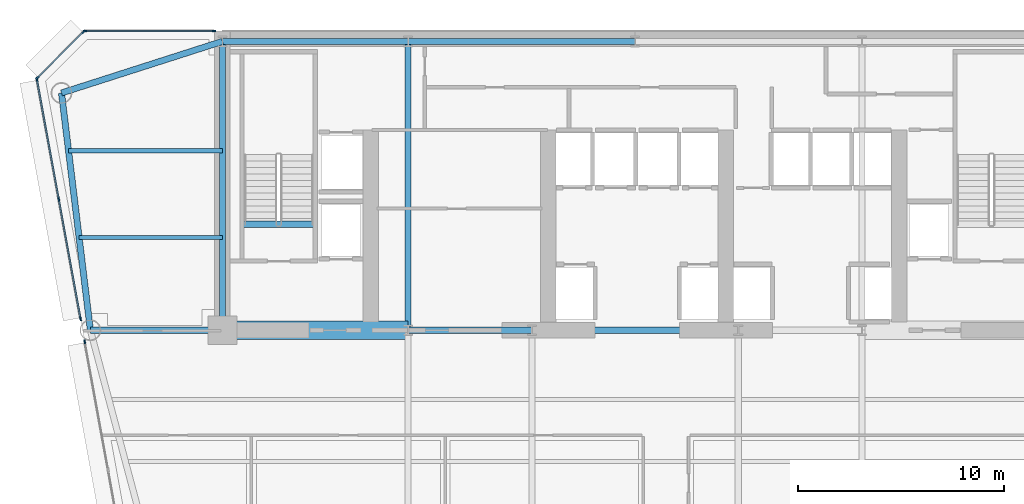
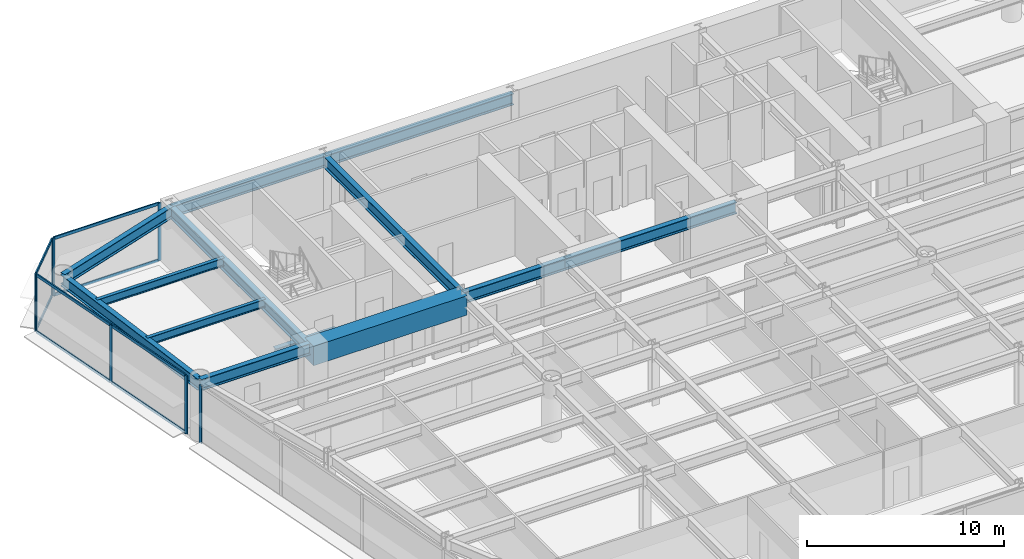
# One storey, part 5 of 14: 16 members, 13 beams, 4 elements without a shape of their own.
"""IFC4 building model written with IfcOpenShell, lengths in metres."""

import ifcopenshell
import ifcopenshell.guid

model = None  # the IFC model being written
_history = None  # IfcOwnerHistory: only IFC2X3 demands one
_inside = {}  # id of a spatial element -> (the spatial element, [elements in it])
_under = {}  # id of a project, library or spatial element -> (it, [spatial elements below it])
_declared = {}  # id of a project -> (the project, [libraries it declares])
_typed = {}  # id of a type object -> (the type object, [elements of that type])
_made_of = {}  # id of a material, layer set ... -> (it, [elements and type objects made of it])


def new_model(schema):
    """Start an empty IFC model of exactly this schema.

    Asked for "IFC4X3", IfcOpenShell would pick the latest addendum, in which some entities
    have other attributes; the version numbers below select the first issue.
    IFC2X3 requires an IfcOwnerHistory on every rooted entity: one is made here for all.
    """
    global model, _history
    if schema == "IFC4X3":
        model = ifcopenshell.file(schema_version=(4, 3, 0, 0))
    else:
        model = ifcopenshell.file(schema=schema)
    _inside.clear()
    _under.clear()
    _declared.clear()
    _typed.clear()
    _made_of.clear()
    _history = None
    if model.schema == "IFC2X3":
        org = make("IfcOrganization", Name="unknown")
        user = make(
            "IfcPersonAndOrganization",
            ThePerson=make("IfcPerson", FamilyName="unknown"),
            TheOrganization=org,
        )
        app = make(
            "IfcApplication",
            ApplicationDeveloper=org,
            Version="unknown",
            ApplicationFullName="unknown",
            ApplicationIdentifier="unknown",
        )
        _history = make(
            "IfcOwnerHistory",
            OwningUser=user,
            OwningApplication=app,
            ChangeAction="ADDED",
            CreationDate=0,
        )
    return model


def make(cls, **values):
    """One entity of the class cls with the attributes given. An attribute that is None is left unset."""
    return model.create_entity(
        cls, **{name: value for name, value in values.items() if value is not None}
    )


def rooted(cls, **values):
    """An entity with a GlobalId (a new one), such as an element, a storey or a relation."""
    return make(cls, GlobalId=ifcopenshell.guid.new(), OwnerHistory=_history, **values)


def si_unit(unit_type, name, prefix=None):
    """IfcSIUnit, for example si_unit("LENGTHUNIT", "METRE", prefix="MILLI")."""
    return make("IfcSIUnit", UnitType=unit_type, Prefix=prefix, Name=name)


def assignment(units):
    """IfcUnitAssignment: the units of a project."""
    return None if units is None else make("IfcUnitAssignment", Units=units)


def point(xyz):
    """IfcCartesianPoint."""
    return None if xyz is None else make("IfcCartesianPoint", Coordinates=xyz)


def direction(xyz):
    """IfcDirection."""
    return None if xyz is None else make("IfcDirection", DirectionRatios=xyz)


def frame(location, z_axis=None, x_axis=None):
    """IfcAxis2Placement3D, a coordinate frame: its origin and axes. An axis left out is left unset."""
    return make(
        "IfcAxis2Placement3D",
        Location=point(location),
        Axis=direction(z_axis),
        RefDirection=direction(x_axis),
    )


def frame_2d(location, x_axis=None):
    """IfcAxis2Placement2D, a coordinate frame in the plane: its origin and x axis."""
    return make(
        "IfcAxis2Placement2D", Location=point(location), RefDirection=direction(x_axis)
    )


def origin():
    """The frame at (0, 0, 0) with its axes left unset."""
    return frame((0.0, 0.0, 0.0))


def origin_2d():
    """The frame at (0, 0) in the plane with its x axis left unset."""
    return frame_2d((0.0, 0.0))


def place(relative_to, where):
    """IfcLocalPlacement: puts the frame where relative to a parent placement (None: the world)."""
    return make(
        "IfcLocalPlacement", PlacementRelTo=relative_to, RelativePlacement=where
    )


def context(
    kind, dimensions, precision=None, world=None, true_north=None, identifier=None
):
    """IfcGeometricRepresentationContext, for example the 3D "Model" context."""
    return make(
        "IfcGeometricRepresentationContext",
        ContextIdentifier=identifier,
        ContextType=kind,
        CoordinateSpaceDimension=dimensions,
        Precision=precision,
        WorldCoordinateSystem=world,
        TrueNorth=true_north,
    )


def subcontext(parent, identifier, kind, view, scale=None):
    """IfcGeometricRepresentationSubContext, for example "Body" below "Model"."""
    return make(
        "IfcGeometricRepresentationSubContext",
        ContextIdentifier=identifier,
        ContextType=kind,
        ParentContext=parent,
        TargetScale=scale,
        TargetView=view,
    )


def project(units=None, contexts=None):
    """IfcProject with its units and contexts."""
    return rooted(
        "IfcProject",
        Name="project",
        RepresentationContexts=contexts,
        UnitsInContext=assignment(units),
    )


def spatial(cls, under=None, at=None, **own):
    """A site, building, storey or space (cls), placed at a placement, below another one or the project."""
    s = rooted(cls, ObjectPlacement=at, **own)
    if under is not None:
        _under.setdefault(under.id(), (under, []))[1].append(s)
    return s


def profile(cls, at=None, kind="AREA", **sizes):
    """A parametric profile (cls). Its sizes go by their IFC names, for example OverallWidth=200.0."""
    return make(cls, ProfileType=kind, Position=at, **sizes)


def rectangle(**sizes):
    """IfcRectangleProfileDef."""
    return profile("IfcRectangleProfileDef", **sizes)


def i_section(**sizes):
    """IfcIShapeProfileDef."""
    return profile("IfcIShapeProfileDef", **sizes)


def extrude(swept, where, along, depth):
    """IfcExtrudedAreaSolid: the profile swept, set in the frame where, extruded along a direction by depth."""
    return make(
        "IfcExtrudedAreaSolid",
        SweptArea=swept,
        Position=where,
        ExtrudedDirection=direction(along),
        Depth=depth,
    )


def shape(context_of_items, identifier, shape_type, items):
    """IfcShapeRepresentation: the items that make up one representation, for example the "Body"."""
    return make(
        "IfcShapeRepresentation",
        ContextOfItems=context_of_items,
        RepresentationIdentifier=identifier,
        RepresentationType=shape_type,
        Items=items,
    )


def source(mapping_origin, context_of_items, identifier, shape_type, items):
    """IfcRepresentationMap: a shape defined once, which mapped items show again and again."""
    return make(
        "IfcRepresentationMap",
        MappingOrigin=mapping_origin,
        MappedRepresentation=shape(context_of_items, identifier, shape_type, items),
    )


def transform(
    local_origin,
    x_axis=None,
    y_axis=None,
    z_axis=None,
    scale=None,
    scale2=None,
    scale3=None,
    uniform=True,
):
    """IfcCartesianTransformationOperator3D, or its non-uniform kind. x_axis, y_axis, z_axis: its Axis1, 2, 3."""
    if uniform:
        return make(
            "IfcCartesianTransformationOperator3D",
            Axis1=direction(x_axis),
            Axis2=direction(y_axis),
            LocalOrigin=point(local_origin),
            Scale=scale,
            Axis3=direction(z_axis),
        )
    return make(
        "IfcCartesianTransformationOperator3DnonUniform",
        Axis1=direction(x_axis),
        Axis2=direction(y_axis),
        LocalOrigin=point(local_origin),
        Scale=scale,
        Axis3=direction(z_axis),
        Scale2=scale2,
        Scale3=scale3,
    )


def mapped(mapping_source, mapping_target):
    """IfcMappedItem: shows the shape of a source again, moved by a transform."""
    return make(
        "IfcMappedItem", MappingSource=mapping_source, MappingTarget=mapping_target
    )


def material(Name=None, Category=None):
    """IfcMaterial."""
    return make("IfcMaterial", Name=Name, Category=Category)


def layer(
    of_material, thickness, ventilated=None, Name=None, Category=None, Priority=None
):
    """IfcMaterialLayer: one layer of a wall or slab, of a material (None: an air gap)."""
    return make(
        "IfcMaterialLayer",
        Material=of_material,
        LayerThickness=thickness,
        IsVentilated=ventilated,
        Name=Name,
        Category=Category,
        Priority=Priority,
    )


def layer_set(layers, Name=None):
    """IfcMaterialLayerSet."""
    return make("IfcMaterialLayerSet", MaterialLayers=layers, LayerSetName=Name)


def material_profile(
    of_material, cross_section, Name=None, Category=None, Priority=None
):
    """IfcMaterialProfile: a cross section and its material."""
    return make(
        "IfcMaterialProfile",
        Name=Name,
        Material=of_material,
        Profile=cross_section,
        Priority=Priority,
        Category=Category,
    )


def profile_set(profiles, Name=None, composite=None):
    """IfcMaterialProfileSet."""
    return make(
        "IfcMaterialProfileSet",
        Name=Name,
        MaterialProfiles=profiles,
        CompositeProfile=composite,
    )


def made_of(thing, what):
    """Note that an element or type object is made of a material, layer set ...; save() writes the relation."""
    if what is not None:
        _made_of.setdefault(what.id(), (what, []))[1].append(thing)
    return thing


def type_object(cls, material=None, **own):
    """A type object (cls), such as IfcWallType, which elements share."""
    return made_of(rooted(cls, **own), material)


def element(
    cls,
    number,
    at=None,
    inside=None,
    cuts=None,
    type_object=None,
    material=None,
    context=None,
    identifier="Body",
    shape_type=None,
    held_by="IfcProductDefinitionShape",
    body=None,
    shapes=None,
    **own,
):
    """One element of the class cls, such as IfcWall. Its Tag is "e" and its number.

    at: its placement. inside: the storey or other place that contains it. cuts: it is an
    opening in that element (IfcRelVoidsElement). A single representation is given by context,
    identifier, shape_type and body (its items); several are given by shapes. held_by: the class
    of the entity that holds the representations. save() writes the other relations.
    """
    e = rooted(cls, Tag="e%d" % number, ObjectPlacement=at, **own)
    if body is not None:
        shapes = [shape(context, identifier, shape_type, body)]
    if shapes is not None:
        e.Representation = make(held_by, Representations=shapes)
    if inside is not None:
        _inside.setdefault(inside.id(), (inside, []))[1].append(e)
    if cuts is not None:
        rooted(
            "IfcRelVoidsElement", RelatingBuildingElement=cuts, RelatedOpeningElement=e
        )
    if type_object is not None:
        _typed.setdefault(type_object.id(), (type_object, []))[1].append(e)
    return made_of(e, material)


def aggregate(whole, parts):
    """IfcRelAggregates: a whole, such as a stair, and the parts it consists of."""
    return rooted("IfcRelAggregates", RelatingObject=whole, RelatedObjects=parts)


def save(model, path):
    """Write the relations noted so far, then the file.

    IfcRelAggregates (storeys below a building ...), IfcRelContainedInSpatialStructure (elements
    in a storey), IfcRelDefinesByType, IfcRelAssociatesMaterial and IfcRelDeclares: one each for
    every whole, place, type object, material and project.
    """
    for whole, parts in _under.values():
        aggregate(whole, parts)
    for where, things in _inside.values():
        rooted(
            "IfcRelContainedInSpatialStructure",
            RelatedElements=things,
            RelatingStructure=where,
        )
    for kind, things in _typed.values():
        rooted("IfcRelDefinesByType", RelatedObjects=things, RelatingType=kind)
    for what, things in _made_of.values():
        rooted("IfcRelAssociatesMaterial", RelatedObjects=things, RelatingMaterial=what)
    for by, libraries in _declared.values():
        rooted("IfcRelDeclares", RelatingContext=by, RelatedDefinitions=libraries)
    model.write(path)


model = new_model("IFC4")

# Units and contexts
model_context = context("Model", 3, precision=1e-05, world=origin(), true_north=direction((0.0, 1.0)))
body_context = subcontext(model_context, "Body", "Model", "MODEL_VIEW")
ifc_project = project(units=[si_unit("LENGTHUNIT", "METRE"), si_unit("AREAUNIT", "SQUARE_METRE"), si_unit("VOLUMEUNIT", "CUBIC_METRE"), si_unit("PLANEANGLEUNIT", "RADIAN"), si_unit("MASSUNIT", "GRAM", prefix="KILO")], contexts=[model_context])

# Site, building, storey
site_placement = place(None, origin())
site = spatial("IfcSite", under=ifc_project, at=site_placement, CompositionType="ELEMENT")
building_placement = place(site_placement, origin())
building = spatial("IfcBuilding", under=site, at=building_placement, Name="Vaeldorn Concourse Tower", CompositionType="ELEMENT")
storey_placement = place(building_placement, frame((0.0, 0.0, 107.199951171875)))
storey = spatial("IfcBuildingStorey", under=building, at=storey_placement, Name="L27", CompositionType="ELEMENT", Elevation=107.199951171875)

# Beams
ifc_material_1 = material(Name="Concrete C60/75", Category="concrete")
ifc_material_profile_1 = material_profile(ifc_material_1, rectangle(XDim=0.89990234375, YDim=1.199951171875, at=origin_2d()), Name="RC 900x1200")
ifc_profile_set_1 = profile_set([ifc_material_profile_1], Name="Concrete C60/75")
beam_type_1 = type_object("IfcBeamType", Name="BM-CB-RC900", PredefinedType="BEAM", material=ifc_profile_set_1)
shared_shape_1 = source(origin(), body_context, "Body", "SweptSolid", [
    extrude(rectangle(XDim=0.89990234375, YDim=1.199951171875, at=origin_2d()), origin(), (0.0, 0.0, 1.0), 9.0),
])
beam_1_placement = place(storey_placement, frame((14.0, 36.5, 2.97998046875), z_axis=(1.0, 0.0, 0.0), x_axis=(0.0, 1.0, 0.0)))
element("IfcBeam", 1, at=beam_1_placement, inside=storey, type_object=beam_type_1, Name="Core Coupling Beam L27-1", PredefinedType="BEAM", context=body_context, shape_type="MappedRepresentation", body=[
    mapped(shared_shape_1, transform((0.0, 0.0, 0.0), scale=1.0)),
])
ifc_material_2 = material(Name="Steel S355", Category="steel")
ifc_material_profile_2 = material_profile(ifc_material_2, i_section(OverallWidth=0.300048828125, OverallDepth=0.340087890625, WebThickness=0.011962890625, FlangeThickness=0.021484375, FilletRadius=0.027099609375, at=origin_2d()), Name="HEB 340")
ifc_profile_set_2 = profile_set([ifc_material_profile_2], Name="Steel S355")
beam_type_2 = type_object("IfcBeamType", Name="BM-ST-TRIM", PredefinedType="BEAM", material=ifc_profile_set_2)
shared_shape_2 = source(origin(), body_context, "Body", "SweptSolid", [
    extrude(i_section(OverallWidth=0.300048828125, OverallDepth=0.340087890625, WebThickness=0.011962890625, FlangeThickness=0.021484375, FilletRadius=0.027099609375, at=origin_2d()), origin(), (0.0, 0.0, 1.0), 3.590087890625),
])
beam_2_placement = place(storey_placement, frame((14.929931640625, 41.639892578125, -0.389892578125), z_axis=(1.0, 0.0, 0.0), x_axis=(0.0, 1.0, 0.0)))
element("IfcBeam", 2, at=beam_2_placement, inside=storey, type_object=beam_type_2, Name="Stair Landing Trimmer Beam ST-1 L27", PredefinedType="BEAM", context=body_context, shape_type="MappedRepresentation", body=[
    mapped(shared_shape_2, transform((0.0, 0.0, 0.0), scale=1.0)),
])
ifc_material_profile_3 = material_profile(ifc_material_2, i_section(OverallWidth=0.199951171875, OverallDepth=0.5, WebThickness=0.01025390625, FlangeThickness=0.01611328125, FilletRadius=0.02099609375, at=origin_2d()), Name="IPE 500")
ifc_profile_set_3 = profile_set([ifc_material_profile_3], Name="Steel S355")
beam_type_3 = type_object("IfcBeamType", Name="BM-JS-IPE500", PredefinedType="JOIST", material=ifc_profile_set_3)
shared_shape_3 = source(origin(), body_context, "Body", "SweptSolid", [
    extrude(i_section(OverallWidth=0.199951171875, OverallDepth=0.5, WebThickness=0.01025390625, FlangeThickness=0.01611328125, FilletRadius=0.02099609375, at=origin_2d()), origin(), (0.0, 0.0, 1.0), 6.94775390625),
])
beam_3_placement = place(storey_placement, frame((7.05224609375, 41.0, 3.330078125), z_axis=(1.0, 0.0, 0.0), x_axis=(0.0, 1.0, 0.0)))
element("IfcBeam", 3, at=beam_3_placement, inside=storey, type_object=beam_type_3, Name="Beam JS-L27-NW-410", PredefinedType="JOIST", context=body_context, shape_type="MappedRepresentation", body=[
    mapped(shared_shape_3, transform((0.0, 0.0, 0.0), scale=1.0)),
])
shared_shape_4 = source(origin(), body_context, "Body", "SweptSolid", [
    extrude(i_section(OverallWidth=0.199951171875, OverallDepth=0.5, WebThickness=0.01025390625, FlangeThickness=0.01611328125, FilletRadius=0.02099609375, at=origin_2d()), origin(), (0.0, 0.0, 1.0), 7.458984375),
])
beam_4_placement = place(storey_placement, frame((6.541015625, 45.199951171875, 3.330078125), z_axis=(1.0, 0.0, 0.0), x_axis=(0.0, 1.0, 0.0)))
element("IfcBeam", 4, at=beam_4_placement, inside=storey, type_object=beam_type_3, Name="Beam JS-L27-NW-452", PredefinedType="JOIST", context=body_context, shape_type="MappedRepresentation", body=[
    mapped(shared_shape_4, transform((0.0, 0.0, 0.0), scale=1.0)),
])
ifc_material_profile_4 = material_profile(ifc_material_2, i_section(OverallWidth=0.300048828125, OverallDepth=0.699951171875, WebThickness=0.01708984375, FlangeThickness=0.031982421875, FilletRadius=0.027099609375, at=origin_2d()), Name="HEB 700")
ifc_profile_set_4 = profile_set([ifc_material_profile_4], Name="Steel S355")
beam_type_4 = type_object("IfcBeamType", Name="BM-PG-HEB700", PredefinedType="BEAM", material=ifc_profile_set_4)
shared_shape_5 = source(origin(), body_context, "Body", "SweptSolid", [
    extrude(i_section(OverallWidth=0.300048828125, OverallDepth=0.699951171875, WebThickness=0.01708984375, FlangeThickness=0.031982421875, FilletRadius=0.027099609375, at=origin_2d()), origin(), (0.0, 0.0, 1.0), 6.0),
])
beam_5_placement = place(storey_placement, frame((23.0, 36.5, 3.22998046875), z_axis=(1.0, 0.0, 0.0), x_axis=(0.0, 1.0, 0.0)))
element("IfcBeam", 5, at=beam_5_placement, inside=storey, type_object=beam_type_4, Name="Beam BM-L27-C-FC2-C-FC3", PredefinedType="BEAM", context=body_context, shape_type="MappedRepresentation", body=[
    mapped(shared_shape_5, transform((0.0, 0.0, 0.0), scale=1.0)),
])
shared_shape_6 = source(origin(), body_context, "Body", "SweptSolid", [
    extrude(i_section(OverallWidth=0.300048828125, OverallDepth=0.699951171875, WebThickness=0.01708984375, FlangeThickness=0.031982421875, FilletRadius=0.027099609375, at=origin_2d()), origin(), (0.0, 0.0, 1.0), 10.0),
])
beam_6_placement = place(storey_placement, frame((29.0, 36.5, 3.22998046875), z_axis=(1.0, 0.0, 0.0), x_axis=(0.0, 1.0, 0.0)))
element("IfcBeam", 6, at=beam_6_placement, inside=storey, type_object=beam_type_4, Name="Beam BM-L27-C-FC3-C-FC4", PredefinedType="BEAM", context=body_context, shape_type="MappedRepresentation", body=[
    mapped(shared_shape_6, transform((0.0, 0.0, 0.0), scale=1.0)),
])
shared_shape_7 = source(origin(), body_context, "Body", "SweptSolid", [
    extrude(i_section(OverallWidth=0.300048828125, OverallDepth=0.699951171875, WebThickness=0.01708984375, FlangeThickness=0.031982421875, FilletRadius=0.027099609375, at=origin_2d()), origin(), (0.0, 0.0, 1.0), 9.0),
])
beam_7_placement = place(storey_placement, frame((14.0, 50.5, 3.22998046875), z_axis=(1.0, 0.0, 0.0), x_axis=(0.0, 1.0, 0.0)))
element("IfcBeam", 7, at=beam_7_placement, inside=storey, type_object=beam_type_4, Name="Beam BM-L27-C-HC1-C-HC2", PredefinedType="BEAM", context=body_context, shape_type="MappedRepresentation", body=[
    mapped(shared_shape_7, transform((0.0, 0.0, 0.0), scale=1.0)),
])
shared_shape_8 = source(origin(), body_context, "Body", "SweptSolid", [
    extrude(i_section(OverallWidth=0.300048828125, OverallDepth=0.699951171875, WebThickness=0.01708984375, FlangeThickness=0.031982421875, FilletRadius=0.027099609375, at=origin_2d()), origin(), (0.0, 0.0, 1.0), 11.0),
])
beam_8_placement = place(storey_placement, frame((23.0, 50.5, 3.22998046875), z_axis=(1.0, 0.0, 0.0), x_axis=(0.0, 1.0, 0.0)))
element("IfcBeam", 8, at=beam_8_placement, inside=storey, type_object=beam_type_4, Name="Beam BM-L27-C-HC2-C-HC3", PredefinedType="BEAM", context=body_context, shape_type="MappedRepresentation", body=[
    mapped(shared_shape_8, transform((0.0, 0.0, 0.0), scale=1.0)),
])
shared_shape_9 = source(origin(), body_context, "Body", "SweptSolid", [
    extrude(i_section(OverallWidth=0.300048828125, OverallDepth=0.699951171875, WebThickness=0.01708984375, FlangeThickness=0.031982421875, FilletRadius=0.027099609375, at=origin_2d()), origin(), (0.0, 0.0, 1.0), 14.0),
])
for number, where, z_axis, x_axis, name in (
    (9, (14.0, 36.5, 3.22998046875), (0.0, 1.0, 0.0), (-1.0, 0.0, 0.0), "Beam BM-L27-C-FC1-C-HC1"),
    (10, (23.0, 36.5, 3.22998046875), (0.0, 1.0, 0.0), (-1.0, 0.0, 0.0), "Beam BM-L27-C-FC2-C-HC2"),
):
    element("IfcBeam", number, at=place(storey_placement, frame(where, z_axis=z_axis, x_axis=x_axis)), inside=storey, type_object=beam_type_4, Name=name, PredefinedType="BEAM", context=body_context, shape_type="MappedRepresentation", body=[
        mapped(shared_shape_9, transform((0.0, 0.0, 0.0), scale=1.0)),
    ])
shared_shape_10 = source(origin(), body_context, "Body", "SweptSolid", [
    extrude(i_section(OverallWidth=0.300048828125, OverallDepth=0.699951171875, WebThickness=0.01708984375, FlangeThickness=0.031982421875, FilletRadius=0.027099609375, at=origin_2d()), origin(), (0.0, 0.0, 1.0), 8.19091796875),
])
beam_9_placement = place(storey_placement, frame((6.199951171875, 48.0, 3.22998046875), z_axis=(0.952282843383, 0.305216949396, 0.0), x_axis=(-0.305216949396, 0.952282843383, 0.0)))
element("IfcBeam", 11, at=beam_9_placement, inside=storey, type_object=beam_type_4, Name="Beam BM-L27-C-NW1-C-HC1", PredefinedType="BEAM", context=body_context, shape_type="MappedRepresentation", body=[
    mapped(shared_shape_10, transform((0.0, 0.0, 0.0), scale=1.0)),
])
shared_shape_11 = source(origin(), body_context, "Body", "SweptSolid", [
    extrude(i_section(OverallWidth=0.300048828125, OverallDepth=0.699951171875, WebThickness=0.01708984375, FlangeThickness=0.031982421875, FilletRadius=0.027099609375, at=origin_2d()), origin(), (0.0, 0.0, 1.0), 11.5849609375),
])
beam_10_placement = place(storey_placement, frame((6.199951171875, 48.0, 3.22998046875), z_axis=(0.120859382899, -0.992669637677, 0.0), x_axis=(0.992669637677, 0.120859382899, 0.0)))
element("IfcBeam", 12, at=beam_10_placement, inside=storey, type_object=beam_type_4, Name="Beam BM-L27-C-NW1-C-NW2", PredefinedType="BEAM", context=body_context, shape_type="MappedRepresentation", body=[
    mapped(shared_shape_11, transform((0.0, 0.0, 0.0), scale=1.0)),
])
shared_shape_12 = source(origin(), body_context, "Body", "SweptSolid", [
    extrude(i_section(OverallWidth=0.300048828125, OverallDepth=0.699951171875, WebThickness=0.01708984375, FlangeThickness=0.031982421875, FilletRadius=0.027099609375, at=origin_2d()), origin(), (0.0, 0.0, 1.0), 6.39990234375),
])
beam_11_placement = place(storey_placement, frame((7.60009765625, 36.5, 3.22998046875), z_axis=(1.0, 0.0, 0.0), x_axis=(0.0, 1.0, 0.0)))
element("IfcBeam", 13, at=beam_11_placement, inside=storey, type_object=beam_type_4, Name="Beam BM-L27-C-NW2-C-FC1", PredefinedType="BEAM", context=body_context, shape_type="MappedRepresentation", body=[
    mapped(shared_shape_12, transform((0.0, 0.0, 0.0), scale=1.0)),
])

# Curtain wall, members
ifc_material_3 = material(Name="Anodised Bronze Aluminium", Category="aluminium")
ifc_layer = layer(ifc_material_3, 0.199951171875)
ifc_layer_set = layer_set([ifc_layer], Name="Anodised Bronze Aluminium")
curtain_wall_type = type_object("IfcCurtainWallType", Name="CW-SYS-02", PredefinedType="NOTDEFINED", material=ifc_layer_set)
curtain_wall_1_placement = place(storey_placement, origin())
curtain_wall_1 = element("IfcCurtainWall", 14, at=curtain_wall_1_placement, inside=storey, type_object=curtain_wall_type, Name="Unitised Curtain Wall CW-L27-E10-1", PredefinedType="NOTDEFINED")
ifc_material_profile_5 = material_profile(ifc_material_3, rectangle(XDim=0.074951171875, YDim=0.179931640625, at=origin_2d()), Name="CWT 75x180")
ifc_profile_set_5 = profile_set([ifc_material_profile_5], Name="Anodised Bronze Aluminium")
member_type_1 = type_object("IfcMemberType", Name="CWT-BRONZE-180", PredefinedType="USERDEFINED", material=ifc_profile_set_5)
shared_shape_13 = source(origin(), body_context, "Body", "SweptSolid", [
    extrude(rectangle(XDim=0.074951171875, YDim=0.179931640625, at=origin_2d()), origin(), (0.0, 0.0, 1.0), 3.10302734375),
])
member_1_placement = place(storey_placement, frame((7.2470703125, 50.947021484375, 0.03759765625), z_axis=(-0.707106781187, -0.707106781187, 0.0), x_axis=(0.707106781187, -0.707106781187, 0.0)))
member_1 = element("IfcMember", 15, at=member_1_placement, type_object=member_type_1, Name="CW-02 transom 1.1", ObjectType="TRANSOM", PredefinedType="USERDEFINED", context=body_context, shape_type="MappedRepresentation", body=[
    mapped(shared_shape_13, transform((0.0, 0.0, 0.0), scale=1.0)),
])
member_2_placement = place(storey_placement, frame((7.2470703125, 50.947021484375, 3.54248046875), z_axis=(-0.707106781187, -0.707106781187, 0.0), x_axis=(0.707106781187, -0.707106781187, 0.0)))
member_2 = element("IfcMember", 16, at=member_2_placement, type_object=member_type_1, Name="CW-02 transom 1.2", ObjectType="TRANSOM", PredefinedType="USERDEFINED", context=body_context, shape_type="MappedRepresentation", body=[
    mapped(shared_shape_13, transform((0.0, 0.0, 0.0), scale=1.0)),
])

curtain_wall_2_placement = place(storey_placement, origin())
curtain_wall_2 = element("IfcCurtainWall", 17, at=curtain_wall_2_placement, inside=storey, type_object=curtain_wall_type, Name="Unitised Curtain Wall CW-L27-E09-2", PredefinedType="NOTDEFINED")
ifc_material_profile_6 = material_profile(ifc_material_3, rectangle(XDim=0.074951171875, YDim=0.18994140625, at=origin_2d()), Name="CWM 75x190")
ifc_profile_set_6 = profile_set([ifc_material_profile_6], Name="Anodised Bronze Aluminium")
member_type_2 = type_object("IfcMemberType", Name="CWM-BRONZE-190", PredefinedType="MULLION", material=ifc_profile_set_6)
shared_shape_14 = source(origin(), body_context, "Body", "SweptSolid", [
    extrude(rectangle(XDim=0.074951171875, YDim=0.18994140625, at=origin_2d()), origin(), (0.0, 0.0, 1.0), 3.580078125),
])
member_3_placement = place(storey_placement, frame((13.592529296875, 51.0, 0.0), z_axis=(0.0, 0.0, 1.0), x_axis=(0.0, -1.0, 0.0)))
member_3 = element("IfcMember", 18, at=member_3_placement, type_object=member_type_2, Name="CW-02 mullion 1", PredefinedType="MULLION", context=body_context, shape_type="MappedRepresentation", body=[
    mapped(shared_shape_14, transform((0.0, 0.0, 0.0), scale=1.0)),
])
member_4_placement = place(storey_placement, frame((7.33740234375, 51.0, 0.0), z_axis=(0.0, 0.0, 1.0), x_axis=(0.0, -1.0, 0.0)))
member_4 = element("IfcMember", 19, at=member_4_placement, type_object=member_type_2, Name="CW-02 mullion 2", PredefinedType="MULLION", context=body_context, shape_type="MappedRepresentation", body=[
    mapped(shared_shape_14, transform((0.0, 0.0, 0.0), scale=1.0)),
])

# Member
member_5_placement = place(storey_placement, frame((7.2734375, 50.973388671875, 0.0), z_axis=(0.0, 0.0, 1.0), x_axis=(0.707106781187, -0.707106781187, 0.0)))
member_5 = element("IfcMember", 20, at=member_5_placement, type_object=member_type_2, Name="CW-02 mullion 1", PredefinedType="MULLION", context=body_context, shape_type="MappedRepresentation", body=[
    mapped(shared_shape_14, transform((0.0, 0.0, 0.0), scale=1.0)),
])

member_6_placement = place(storey_placement, frame((5.026611328125, 48.7265625, 0.0), z_axis=(0.0, 0.0, 1.0), x_axis=(0.707106781187, -0.707106781187, 0.0)))
member_6 = element("IfcMember", 21, at=member_6_placement, type_object=member_type_2, Name="CW-02 mullion 2", PredefinedType="MULLION", context=body_context, shape_type="MappedRepresentation", body=[
    mapped(shared_shape_14, transform((0.0, 0.0, 0.0), scale=1.0)),
])

aggregate(curtain_wall_1, [member_5, member_6, member_1, member_2])

# Curtain wall, members
curtain_wall_3_placement = place(storey_placement, origin())
curtain_wall_3 = element("IfcCurtainWall", 22, at=curtain_wall_3_placement, inside=storey, type_object=curtain_wall_type, Name="Unitised Curtain Wall CW-L27-E11-1", PredefinedType="NOTDEFINED")
member_7_placement = place(storey_placement, frame((5.0068359375, 48.6630859375, 0.0), z_axis=(0.0, 0.0, 1.0), x_axis=(0.983795716764, 0.179293021832, 0.0)))
member_7 = element("IfcMember", 23, at=member_7_placement, type_object=member_type_2, Name="CW-02 mullion 1", PredefinedType="MULLION", context=body_context, shape_type="MappedRepresentation", body=[
    mapped(shared_shape_14, transform((0.0, 0.0, 0.0), scale=1.0)),
])
member_8_placement = place(storey_placement, frame((6.064453125, 42.85888671875, 0.0), z_axis=(0.0, 0.0, 1.0), x_axis=(0.983795716764, 0.179293021832, 0.0)))
member_8 = element("IfcMember", 24, at=member_8_placement, type_object=member_type_2, Name="CW-02 mullion 2", PredefinedType="MULLION", context=body_context, shape_type="MappedRepresentation", body=[
    mapped(shared_shape_14, transform((0.0, 0.0, 0.0), scale=1.0)),
])
member_9_placement = place(storey_placement, frame((7.122314453125, 37.054931640625, 0.0), z_axis=(0.0, 0.0, 1.0), x_axis=(0.983795716764, 0.179293021832, 0.0)))
member_9 = element("IfcMember", 25, at=member_9_placement, type_object=member_type_2, Name="CW-02 mullion 3", PredefinedType="MULLION", context=body_context, shape_type="MappedRepresentation", body=[
    mapped(shared_shape_14, transform((0.0, 0.0, 0.0), scale=1.0)),
])

# Curtain wall, member
curtain_wall_4_placement = place(storey_placement, origin())
curtain_wall_4 = element("IfcCurtainWall", 26, at=curtain_wall_4_placement, inside=storey, type_object=curtain_wall_type, Name="Unitised Curtain Wall CW-L27-E11-2", PredefinedType="NOTDEFINED")
member_10_placement = place(storey_placement, frame((7.324462890625, 35.945068359375, 0.0), z_axis=(0.0, 0.0, 1.0), x_axis=(0.983795727872, 0.179292960877, 0.0)))
member_10 = element("IfcMember", 27, at=member_10_placement, type_object=member_type_2, Name="CW-02 mullion 1", PredefinedType="MULLION", context=body_context, shape_type="MappedRepresentation", body=[
    mapped(shared_shape_14, transform((0.0, 0.0, 0.0), scale=1.0)),
])
aggregate(curtain_wall_4, [member_10])

# Member
shared_shape_15 = source(origin(), body_context, "Body", "SweptSolid", [
    extrude(rectangle(XDim=0.074951171875, YDim=0.179931640625, at=origin_2d()), origin(), (0.0, 0.0, 1.0), 6.179931640625),
])
member_11_placement = place(storey_placement, frame((13.554931640625, 51.0, 0.03759765625), z_axis=(-1.0, 0.0, 0.0), x_axis=(0.0, -1.0, 0.0)))
member_11 = element("IfcMember", 28, at=member_11_placement, type_object=member_type_1, Name="CW-02 transom 1.1", ObjectType="TRANSOM", PredefinedType="USERDEFINED", context=body_context, shape_type="MappedRepresentation", body=[
    mapped(shared_shape_15, transform((0.0, 0.0, 0.0), scale=1.0)),
])

member_12_placement = place(storey_placement, frame((13.554931640625, 51.0, 3.54248046875), z_axis=(-1.0, 0.0, 0.0), x_axis=(0.0, -1.0, 0.0)))
member_12 = element("IfcMember", 29, at=member_12_placement, type_object=member_type_1, Name="CW-02 transom 1.2", ObjectType="TRANSOM", PredefinedType="USERDEFINED", context=body_context, shape_type="MappedRepresentation", body=[
    mapped(shared_shape_15, transform((0.0, 0.0, 0.0), scale=1.0)),
])

aggregate(curtain_wall_2, [member_3, member_4, member_11, member_12])

shared_shape_16 = source(origin(), body_context, "Body", "SweptSolid", [
    extrude(rectangle(XDim=0.074951171875, YDim=0.179931640625, at=origin_2d()), origin(), (0.0, 0.0, 1.0), 5.82470703125),
])
member_13_placement = place(storey_placement, frame((5.013427734375, 48.626220703125, 0.03759765625), z_axis=(0.179313291804, -0.983792022423, 0.0), x_axis=(0.983792022423, 0.179313291804, 0.0)))
member_13 = element("IfcMember", 30, at=member_13_placement, type_object=member_type_1, Name="CW-02 transom 1.1", ObjectType="TRANSOM", PredefinedType="USERDEFINED", context=body_context, shape_type="MappedRepresentation", body=[
    mapped(shared_shape_16, transform((0.0, 0.0, 0.0), scale=1.0)),
])

member_14_placement = place(storey_placement, frame((5.013427734375, 48.626220703125, 3.54248046875), z_axis=(0.179313291804, -0.983792022423, 0.0), x_axis=(0.983792022423, 0.179313291804, 0.0)))
member_14 = element("IfcMember", 31, at=member_14_placement, type_object=member_type_1, Name="CW-02 transom 1.2", ObjectType="TRANSOM", PredefinedType="USERDEFINED", context=body_context, shape_type="MappedRepresentation", body=[
    mapped(shared_shape_16, transform((0.0, 0.0, 0.0), scale=1.0)),
])

member_15_placement = place(storey_placement, frame((6.0712890625, 42.822021484375, 0.03759765625), z_axis=(0.179272723842, -0.983799415779, 0.0), x_axis=(0.983799415779, 0.179272723842, 0.0)))
member_15 = element("IfcMember", 32, at=member_15_placement, type_object=member_type_1, Name="CW-02 transom 2.1", ObjectType="TRANSOM", PredefinedType="USERDEFINED", context=body_context, shape_type="MappedRepresentation", body=[
    mapped(shared_shape_16, transform((0.0, 0.0, 0.0), scale=1.0)),
])

member_16_placement = place(storey_placement, frame((6.0712890625, 42.822021484375, 3.54248046875), z_axis=(0.179272723842, -0.983799415779, 0.0), x_axis=(0.983799415779, 0.179272723842, 0.0)))
member_16 = element("IfcMember", 33, at=member_16_placement, type_object=member_type_1, Name="CW-02 transom 2.2", ObjectType="TRANSOM", PredefinedType="USERDEFINED", context=body_context, shape_type="MappedRepresentation", body=[
    mapped(shared_shape_16, transform((0.0, 0.0, 0.0), scale=1.0)),
])

aggregate(curtain_wall_3, [member_7, member_8, member_9, member_13, member_14, member_15, member_16])

save(model, "model.ifc")
